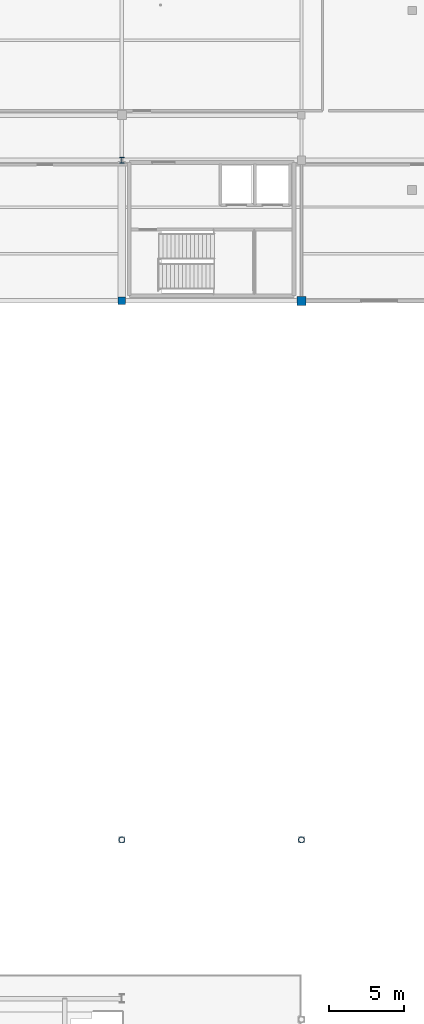
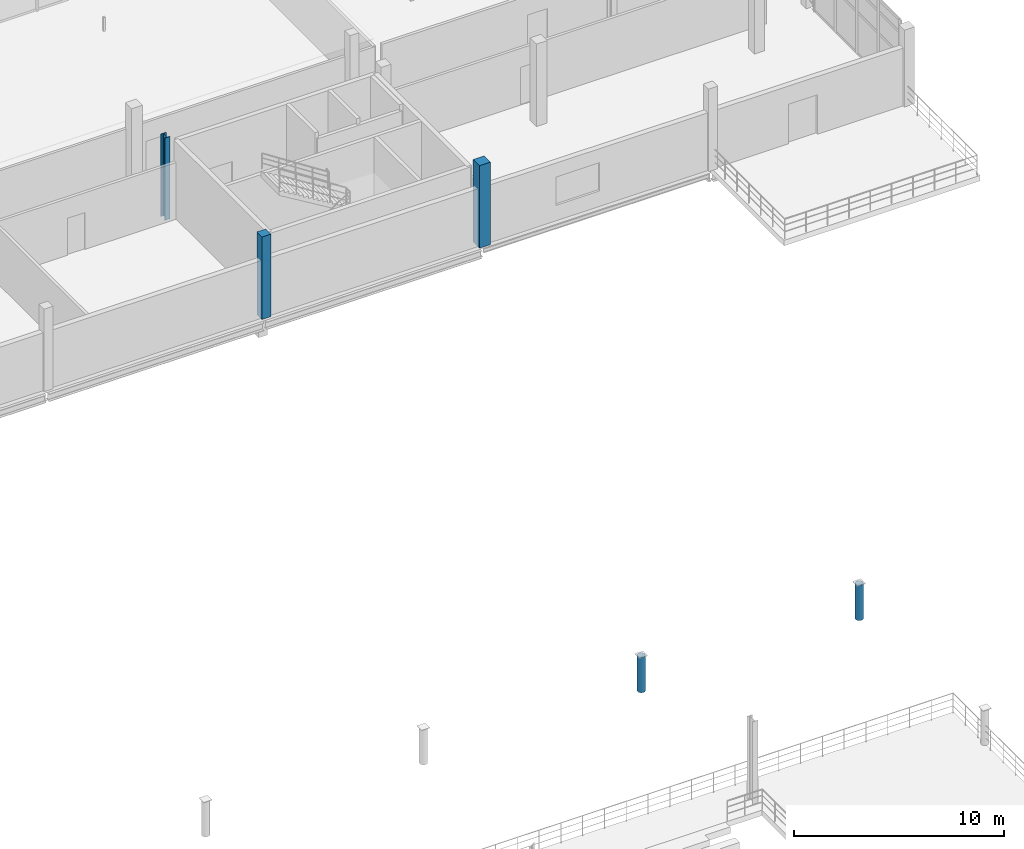
# One storey, part 12 of 52: 5 columns.
"""IFC4 building model written with IfcOpenShell, lengths in metres."""

from ifc_helpers import new_model, si_unit, direction, frame, origin, origin_2d, place, context, subcontext, project, spatial, rectangle, hollow_circle, i_section, extrude, material, material_profile, profile_set, type_object, element, save


model = new_model("IFC4")

# Units and contexts
model_context = context("Model", 3, precision=1e-05, world=origin(), true_north=direction((0.0, 1.0)))
body_context = subcontext(model_context, "Body", "Model", "MODEL_VIEW")
ifc_project = project(units=[si_unit("LENGTHUNIT", "METRE"), si_unit("AREAUNIT", "SQUARE_METRE"), si_unit("VOLUMEUNIT", "CUBIC_METRE"), si_unit("PLANEANGLEUNIT", "RADIAN"), si_unit("MASSUNIT", "GRAM", prefix="KILO"), si_unit("THERMODYNAMICTEMPERATUREUNIT", "KELVIN"), si_unit("POWERUNIT", "WATT")], contexts=[model_context])

# Site, building, storey
site_placement = place(None, origin())
site = spatial("IfcSite", under=ifc_project, at=site_placement, CompositionType="ELEMENT")
building_placement = place(site_placement, origin())
building = spatial("IfcBuilding", under=site, at=building_placement, Name="Solmara Park Aquatics Centre", CompositionType="ELEMENT")
storey_placement = place(building_placement, frame((0.0, 0.0, 9.60009765625)))
storey = spatial("IfcBuildingStorey", under=building, at=storey_placement, Name="L02", CompositionType="ELEMENT", Elevation=9.60009765625)

# Columns
ifc_material_1 = material(Name="Structural Steel S355", Category="steel")
ifc_material_profile_1 = material_profile(ifc_material_1, hollow_circle(Radius=0.203125, WallThickness=0.01611328125, at=origin_2d()), Name="CHS 406.4x16")
ifc_profile_set_1 = profile_set([ifc_material_profile_1], Name="Structural Steel S355")
column_type_1 = type_object("IfcColumnType", Name="STR-COL-CHS406", PredefinedType="COLUMN", material=ifc_profile_set_1)
for number, where, z_axis, x_axis, name in (
    (1, (84.60009765625, 72.60009765625, 0.0), (0.0, 0.0, 1.0), (1.0, 0.0, 0.0), "Column L02-0510"),
    (2, (96.60009765625, 72.60009765625, 0.0), (0.0, 0.0, 1.0), (1.0, 0.0, 0.0), "Column L02-0520"),
):
    element("IfcColumn", number, at=place(storey_placement, frame(where, z_axis=z_axis, x_axis=x_axis)), inside=storey, type_object=column_type_1, Name=name, PredefinedType="COLUMN", context=body_context, shape_type="SweptSolid", body=[
        extrude(hollow_circle(Radius=0.203125, WallThickness=0.01611328125, at=origin_2d()), origin(), (0.0, 0.0, 1.0), 2.059814453125),
    ])
ifc_material_profile_2 = material_profile(ifc_material_1, i_section(OverallWidth=0.300048828125, OverallDepth=0.39990234375, WebThickness=0.013427734375, FlangeThickness=0.02392578125, FilletRadius=0.027099609375, at=origin_2d()), Name="HEB 400")
ifc_profile_set_2 = profile_set([ifc_material_profile_2], Name="Structural Steel S355")
column_type_2 = type_object("IfcColumnType", Name="STR-COL-HEB400", PredefinedType="COLUMN", material=ifc_profile_set_2)
column_1_placement = place(storey_placement, frame((84.60009765625, 118.0, 0.0), z_axis=(0.0, 0.0, 1.0), x_axis=(1.0, 0.0, 0.0)))
element("IfcColumn", 3, at=column_1_placement, inside=storey, type_object=column_type_2, Name="Column L02-0512", PredefinedType="COLUMN", context=body_context, shape_type="SweptSolid", body=[
    extrude(i_section(OverallWidth=0.300048828125, OverallDepth=0.39990234375, WebThickness=0.013427734375, FlangeThickness=0.02392578125, FilletRadius=0.027099609375, at=origin_2d()), origin(), (0.0, 0.0, 1.0), 4.7998046875),
])
ifc_material_2 = material(Name="Concrete C40/50", Category="concrete")
ifc_material_profile_3 = material_profile(ifc_material_2, rectangle(XDim=0.5, YDim=0.5, at=origin_2d()), Name="RC 500x500")
ifc_profile_set_3 = profile_set([ifc_material_profile_3], Name="Concrete C40/50")
column_type_3 = type_object("IfcColumnType", Name="STR-COL-RC500", PredefinedType="COLUMN", material=ifc_profile_set_3)
column_2_placement = place(storey_placement, frame((84.60009765625, 108.60009765625, 0.0), z_axis=(0.0, 0.0, 1.0), x_axis=(1.0, 0.0, 0.0)))
element("IfcColumn", 4, at=column_2_placement, inside=storey, type_object=column_type_3, Name="Column L02-0511", PredefinedType="COLUMN", context=body_context, shape_type="SweptSolid", body=[
    extrude(rectangle(XDim=0.5, YDim=0.5, at=origin_2d()), origin(), (0.0, 0.0, 1.0), 4.7998046875),
])
ifc_material_profile_4 = material_profile(ifc_material_2, rectangle(XDim=0.60009765625, YDim=0.60009765625, at=origin_2d()), Name="RC 600x600")
ifc_profile_set_4 = profile_set([ifc_material_profile_4], Name="Concrete C40/50")
column_type_4 = type_object("IfcColumnType", Name="STR-COL-RC600", PredefinedType="COLUMN", material=ifc_profile_set_4)
column_3_placement = place(storey_placement, frame((96.60009765625, 108.60009765625, 0.0), z_axis=(0.0, 0.0, 1.0), x_axis=(1.0, 0.0, 0.0)))
element("IfcColumn", 5, at=column_3_placement, inside=storey, type_object=column_type_4, Name="Column L02-0521", PredefinedType="COLUMN", context=body_context, shape_type="SweptSolid", body=[
    extrude(rectangle(XDim=0.60009765625, YDim=0.60009765625, at=origin_2d()), origin(), (0.0, 0.0, 1.0), 4.7998046875),
])

save(model, "model.ifc")
